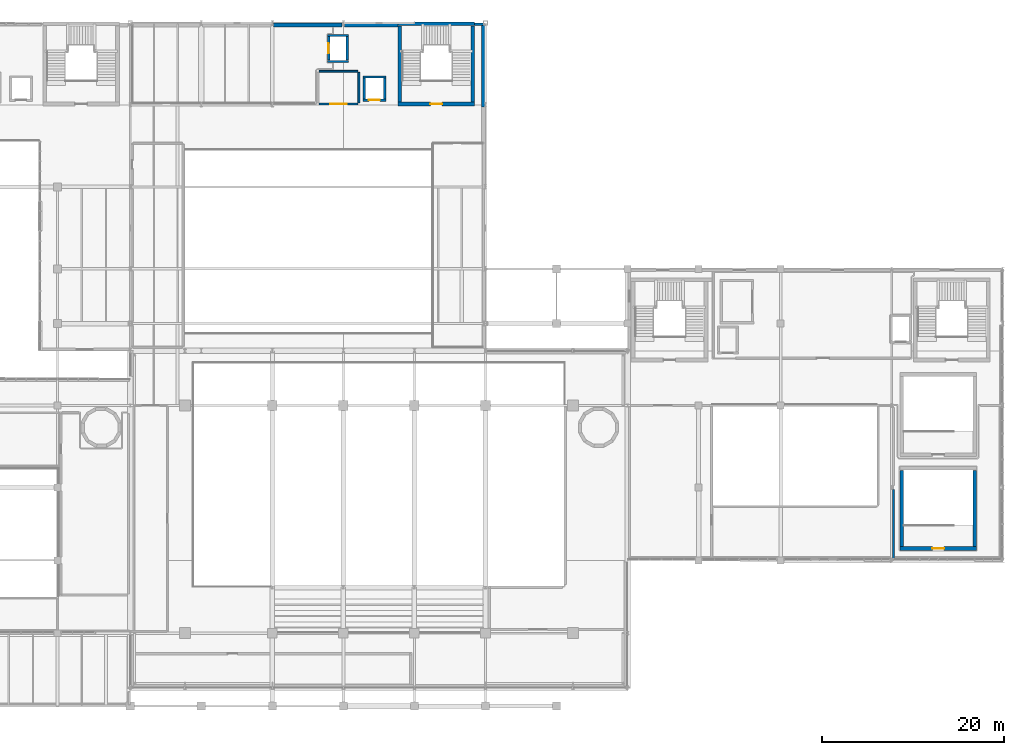
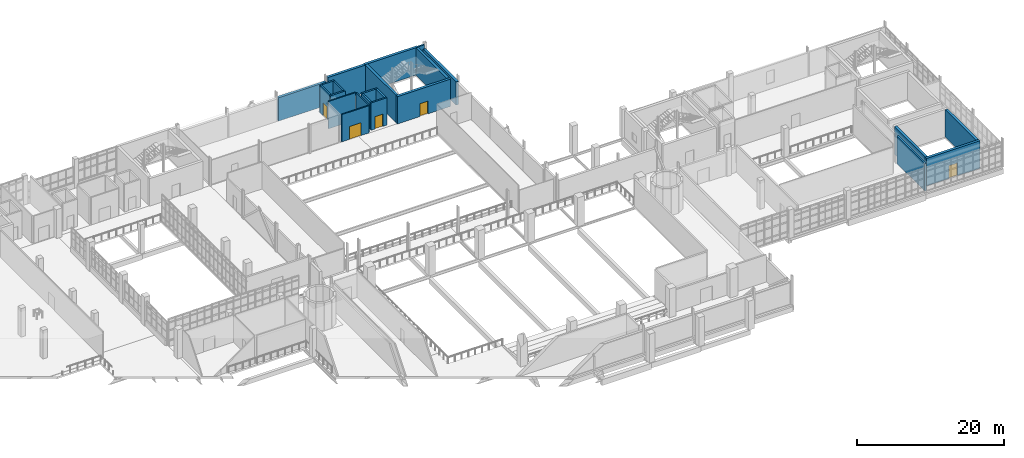
# One storey, part 95 of 102: 23 walls, 5 doors, 5 openings.
"""IFC4 building model written with IfcOpenShell, lengths in metres."""

from ifc_helpers import new_model, si_unit, derived_unit, direction, frame, frame_2d, origin, place, context, subcontext, project, spatial, rectangle, extrude, material, layer, layer_set, type_object, element, fill, save


model = new_model("IFC4")

# Units and contexts
model_context = context("Model", 3, precision=1e-05, world=origin(), true_north=direction((0.0, 1.0)))
body_context = subcontext(model_context, "Body", "Model", "MODEL_VIEW")
ifc_project = project(units=[si_unit("LENGTHUNIT", "METRE"), si_unit("AREAUNIT", "SQUARE_METRE"), si_unit("VOLUMEUNIT", "CUBIC_METRE"), si_unit("PLANEANGLEUNIT", "RADIAN"), si_unit("MASSUNIT", "GRAM", prefix="KILO"), derived_unit("THERMALTRANSMITTANCEUNIT", [(si_unit("POWERUNIT", "WATT"), 1), (si_unit("LENGTHUNIT", "METRE"), -2), (si_unit("THERMODYNAMICTEMPERATUREUNIT", "KELVIN"), -1)])], contexts=[model_context])

# Site, building, storey
site_placement = place(None, origin())
site = spatial("IfcSite", under=ifc_project, at=site_placement, CompositionType="ELEMENT")
building_placement = place(site_placement, origin())
building = spatial("IfcBuilding", under=site, at=building_placement, Name="Nallur Shell Playhouse", CompositionType="ELEMENT")
storey_placement = place(building_placement, frame((0.0, 0.0, 15.0)))
storey = spatial("IfcBuildingStorey", under=building, at=storey_placement, Name="L04", CompositionType="ELEMENT", Elevation=15.0)

# Wall, opening, door
ifc_material_1 = material(Name="Concrete M45", Category="concrete")
ifc_layer_1 = layer(ifc_material_1, 0.39990234375)
ifc_layer_set_1 = layer_set([ifc_layer_1], Name="Concrete M45")
wall_type_1 = type_object("IfcWallType", Name="WL-CORE-400", PredefinedType="SHEAR", material=ifc_layer_set_1)
wall_1_placement = place(storey_placement, frame((93.39990234375, 74.10009765625, 0.0), z_axis=(0.0, 0.0, 1.0), x_axis=(1.0, 0.0, 0.0)))
wall_1 = element("IfcWall", 1, at=wall_1_placement, inside=storey, type_object=wall_type_1, Name="Joint Core JC-4 shear wall S (L04)", PredefinedType="SHEAR", context=body_context, shape_type="SweptSolid", body=[
    extrude(rectangle(XDim=8.400146484375, YDim=0.39990234375, at=frame_2d((4.2001953125, 0.0))), origin(), (0.0, 0.0, 1.0), 4.550048828125),
])
opening_1_placement = place(wall_1_placement, frame((3.550048828125, 0.0, 0.0)))
opening_1 = element("IfcOpeningElement", 2, at=opening_1_placement, cuts=wall_1, Name="Opening FD-ST1", PredefinedType="OPENING", context=body_context, shape_type="SweptSolid", body=[
    extrude(rectangle(XDim=1.300048828125, YDim=2.14990234375, at=frame_2d((0.64990234375, 1.074951171875))), frame((0.0, 0.2099609375, 0.0), z_axis=(0.0, -1.0, 0.0), x_axis=(1.0, 0.0, 0.0)), (0.0, 0.0, 1.0), 0.419921875),
])
ifc_material_2 = material(Name="Galvanised Steel Fire-Rated Stair Door", Category="steel")
door_type_1 = type_object("IfcDoorType", Name="DR-INT-STAIR-L", OperationType="SINGLE_SWING_LEFT", PredefinedType="DOOR", material=ifc_material_2)
door_1_placement = place(opening_1_placement, origin())
door_1 = element("IfcDoor", 3, at=door_1_placement, inside=storey, type_object=door_type_1, Name="Exit stair ST-04 fire door (L04)", OperationType="SINGLE_SWING_LEFT", OverallHeight=2.14990234375, OverallWidth=1.300048828125, PredefinedType="DOOR", context=body_context, shape_type="SweptSolid", body=[
    extrude(rectangle(XDim=1.300048828125, YDim=2.14990234375, at=frame_2d((0.64990234375, 1.074951171875))), frame((0.0, 0.02490234375, 0.0), z_axis=(0.0, -1.0, 0.0), x_axis=(1.0, 0.0, 0.0)), (0.0, 0.0, 1.0), 0.050048828125),
])
fill(opening_1, door_1)

# Walls
wall_2_placement = place(storey_placement, frame((101.800048828125, 82.89990234375, 0.0), z_axis=(0.0, 0.0, 1.0), x_axis=(-1.0, 0.0, 0.0)))
element("IfcWall", 4, at=wall_2_placement, inside=storey, type_object=wall_type_1, Name="Joint Core JC-4 shear wall N (L04)", PredefinedType="SHEAR", context=body_context, shape_type="SweptSolid", body=[
    extrude(rectangle(XDim=8.400146484375, YDim=0.39990234375, at=frame_2d((4.2001953125, 0.0))), origin(), (0.0, 0.0, 1.0), 4.550048828125),
])
for number, where, z_axis, x_axis, name in (
    (5, (101.60009765625, 74.31005859375, 0.0), (0.0, 0.0, 1.0), (0.0, 1.0, 0.0), "Joint Core JC-4 shear wall E (L04)"),
    (6, (93.60009765625, 82.68994140625, 0.0), (0.0, 0.0, 1.0), (0.0, -1.0, 0.0), "Joint Core JC-4 shear wall W (L04)"),
):
    element("IfcWall", number, at=place(storey_placement, frame(where, z_axis=z_axis, x_axis=x_axis)), inside=storey, type_object=wall_type_1, Name=name, PredefinedType="SHEAR", context=body_context, shape_type="SweptSolid", body=[
        extrude(rectangle(XDim=8.3798828125, YDim=0.39990234375, at=frame_2d((4.18994140625, 0.0))), origin(), (0.0, 0.0, 1.0), 4.550048828125),
    ])

# Wall, opening, door
wall_3_placement = place(storey_placement, frame((148.5, 25.300048828125, 0.0), z_axis=(0.0, 0.0, 1.0), x_axis=(1.0, 0.0, 0.0)))
wall_3 = element("IfcWall", 7, at=wall_3_placement, inside=storey, type_object=wall_type_1, Name="Joint Core JC-8 shear wall S (L04)", PredefinedType="SHEAR", context=body_context, shape_type="SweptSolid", body=[
    extrude(rectangle(XDim=8.39990234375, YDim=0.39990234375, at=frame_2d((4.199951171875, 0.0))), origin(), (0.0, 0.0, 1.0), 4.580078125),
])
opening_2_placement = place(wall_3_placement, frame((3.550048828125, 0.0, 0.0)))
opening_2 = element("IfcOpeningElement", 8, at=opening_2_placement, cuts=wall_3, Name="Opening FD-ST2", PredefinedType="OPENING", context=body_context, shape_type="SweptSolid", body=[
    extrude(rectangle(XDim=1.300048828125, YDim=2.14990234375, at=frame_2d((0.64990234375, 1.074951171875))), frame((0.0, 0.2099609375, 0.0), z_axis=(0.0, -1.0, 0.0), x_axis=(1.0, 0.0, 0.0)), (0.0, 0.0, 1.0), 0.419921875),
])
door_type_2 = type_object("IfcDoorType", Name="DR-INT-STAIR-R", OperationType="SINGLE_SWING_RIGHT", PredefinedType="DOOR", material=ifc_material_2)
door_2_placement = place(opening_2_placement, origin())
door_2 = element("IfcDoor", 9, at=door_2_placement, inside=storey, type_object=door_type_2, Name="Exit stair ST-08 fire door (L04)", OperationType="SINGLE_SWING_RIGHT", OverallHeight=2.14990234375, OverallWidth=1.300048828125, PredefinedType="DOOR", context=body_context, shape_type="SweptSolid", body=[
    extrude(rectangle(XDim=1.300048828125, YDim=2.14990234375, at=frame_2d((0.64990234375, 1.074951171875))), frame((0.0, 0.02490234375, 0.0), z_axis=(0.0, -1.0, 0.0), x_axis=(1.0, 0.0, 0.0)), (0.0, 0.0, 1.0), 0.050048828125),
])
fill(opening_2, door_2)

# Walls
for number, where, z_axis, x_axis, name in (
    (10, (156.699951171875, 25.510009765625, 0.0), (0.0, 0.0, 1.0), (0.0, 1.0, 0.0), "Joint Core JC-8 shear wall E (L04)"),
    (11, (148.699951171875, 33.889892578125, 0.0), (0.0, 0.0, 1.0), (0.0, -1.0, 0.0), "Joint Core JC-8 shear wall W (L04)"),
):
    element("IfcWall", number, at=place(storey_placement, frame(where, z_axis=z_axis, x_axis=x_axis)), inside=storey, type_object=wall_type_1, Name=name, PredefinedType="SHEAR", context=body_context, shape_type="SweptSolid", body=[
        extrude(rectangle(XDim=8.3798828125, YDim=0.39990234375, at=frame_2d((4.18994140625, 0.0))), origin(), (0.0, 0.0, 1.0), 4.580078125),
    ])
ifc_material_3 = material(Name="Precast concrete M40", Category="concrete")
ifc_layer_2 = layer(ifc_material_3, 0.239990234375)
ifc_layer_set_2 = layer_set([ifc_layer_2], Name="Precast concrete M40")
wall_type_2 = type_object("IfcWallType", Name="WL-EXT-CLAD240", PredefinedType="ELEMENTEDWALL", material=ifc_layer_set_2)
wall_4_placement = place(storey_placement, frame((101.803955078125, 82.860107421875, 0.0), z_axis=(0.0, 0.0, 1.0), x_axis=(1.0, 0.0, 0.0)))
element("IfcWall", 12, at=wall_4_placement, inside=storey, type_object=wall_type_2, Name="L04 exterior wall EW-L04-176", PredefinedType="ELEMENTEDWALL", context=body_context, shape_type="SweptSolid", body=[
    extrude(rectangle(XDim=0.963134765625, YDim=0.239990234375, at=frame_2d((0.4814453125, 0.0))), origin(), (0.0, 0.0, 1.0), 4.550048828125),
])
ifc_material_4 = material(Name="Concrete M40", Category="concrete")
ifc_layer_3 = layer(ifc_material_4, 0.39990234375)
ifc_layer_set_3 = layer_set([ifc_layer_3], Name="Concrete M40")
wall_type_3 = type_object("IfcWallType", Name="WL-EXT-RC400", PredefinedType="STANDARD", material=ifc_layer_set_3)
wall_5_placement = place(storey_placement, frame((79.73291015625, 82.780029296875, 0.0), z_axis=(0.0, 0.0, 1.0), x_axis=(1.0, 0.0, 0.0)))
element("IfcWall", 13, at=wall_5_placement, inside=storey, type_object=wall_type_3, Name="L04 exterior wall EW-L04-174", PredefinedType="STANDARD", context=body_context, shape_type="SweptSolid", body=[
    extrude(rectangle(XDim=7.5341796875, YDim=0.39990234375, at=frame_2d((3.76708984375, 0.0))), origin(), (0.0, 0.0, 1.0), 3.885009765625),
])
wall_6_placement = place(storey_placement, frame((87.532958984375, 82.780029296875, 0.0), z_axis=(0.0, 0.0, 1.0), x_axis=(1.0, 0.0, 0.0)))
element("IfcWall", 14, at=wall_6_placement, inside=storey, type_object=wall_type_3, Name="L04 exterior wall EW-L04-175", PredefinedType="STANDARD", context=body_context, shape_type="SweptSolid", body=[
    extrude(rectangle(XDim=5.863037109375, YDim=0.39990234375, at=frame_2d((2.931640625, 0.0))), origin(), (0.0, 0.0, 1.0), 4.550048828125),
])
wall_7_placement = place(storey_placement, frame((102.780029296875, 82.76708984375, 0.0), z_axis=(0.0, 0.0, 1.0), x_axis=(0.0, -1.0, 0.0)))
element("IfcWall", 15, at=wall_7_placement, inside=storey, type_object=wall_type_3, Name="L04 exterior wall EW-L04-177", PredefinedType="STANDARD", context=body_context, shape_type="SweptSolid", body=[
    extrude(rectangle(XDim=9.0, YDim=0.39990234375, at=frame_2d((4.5, 0.0))), origin(), (0.0, 0.0, 1.0), 3.885009765625),
])
ifc_material_5 = material(Name="Concrete M30", Category="concrete")
ifc_layer_4 = layer(ifc_material_5, 0.199951171875)
ifc_layer_set_4 = layer_set([ifc_layer_4], Name="Concrete M30")
wall_type_4 = type_object("IfcWallType", Name="WL-PART-AC200", PredefinedType="PARTITIONING", material=ifc_layer_set_4)
wall_8_placement = place(storey_placement, frame((84.719970703125, 77.699951171875, 0.0), z_axis=(0.0, 0.0, 1.0), x_axis=(1.0, 0.0, 0.0)))
element("IfcWall", 16, at=wall_8_placement, inside=storey, type_object=wall_type_4, Name="Firefighting Lobby JC-4 partition IW-L04-0276", PredefinedType="PARTITIONING", context=body_context, shape_type="SweptSolid", body=[
    extrude(rectangle(XDim=4.260009765625, YDim=0.199951171875, at=frame_2d((2.1298828125, 0.0))), origin(), (0.0, 0.0, 1.0), 4.5400390625),
])
wall_9_placement = place(storey_placement, frame((89.10009765625, 77.580078125, 0.0), z_axis=(0.0, 0.0, 1.0), x_axis=(0.0, -1.0, 0.0)))
element("IfcWall", 17, at=wall_9_placement, inside=storey, type_object=wall_type_4, Name="Firefighting Lobby JC-4 partition IW-L04-0277", PredefinedType="PARTITIONING", context=body_context, shape_type="SweptSolid", body=[
    extrude(rectangle(XDim=3.360107421875, YDim=0.199951171875, at=frame_2d((1.68017578125, 0.0))), origin(), (0.0, 0.0, 1.0), 4.5400390625),
])

# Wall, opening, door
wall_10_placement = place(storey_placement, frame((88.97998046875, 74.10009765625, 0.0), z_axis=(0.0, 0.0, 1.0), x_axis=(-1.0, 0.0, 0.0)))
wall_10 = element("IfcWall", 18, at=wall_10_placement, inside=storey, type_object=wall_type_4, Name="Firefighting Lobby JC-4 partition IW-L04-0278", PredefinedType="PARTITIONING", context=body_context, shape_type="SweptSolid", body=[
    extrude(rectangle(XDim=4.260009765625, YDim=0.199951171875, at=frame_2d((2.1298828125, 0.0))), origin(), (0.0, 0.0, 1.0), 4.5400390625),
])
opening_3_placement = place(wall_10_placement, frame((1.22998046875, 0.0, 0.0)))
opening_3 = element("IfcOpeningElement", 19, at=opening_3_placement, cuts=wall_10, Name="Opening FD-FL1", PredefinedType="OPENING", context=body_context, shape_type="SweptSolid", body=[
    extrude(rectangle(XDim=1.800048828125, YDim=2.14990234375, at=frame_2d((0.89990234375, 1.074951171875))), frame((0.0, 0.10986328125, 0.0), z_axis=(0.0, -1.0, 0.0), x_axis=(1.0, 0.0, 0.0)), (0.0, 0.0, 1.0), 0.219970703125),
])
ifc_material_6 = material(Name="Firefighting Lobby Smoke-Seal Double Door")
door_type_3 = type_object("IfcDoorType", Name="DR-INT-FFL-DBL", OperationType="DOUBLE_DOOR_SINGLE_SWING", PredefinedType="DOOR", material=ifc_material_6)
door_3_placement = place(opening_3_placement, origin())
door_3 = element("IfcDoor", 20, at=door_3_placement, inside=storey, type_object=door_type_3, Name="Firefighting Lobby JC-4 smoke-seal door (L04)", OperationType="DOUBLE_DOOR_SINGLE_SWING", OverallHeight=2.14990234375, OverallWidth=1.800048828125, PredefinedType="DOOR", context=body_context, shape_type="SweptSolid", body=[
    extrude(rectangle(XDim=1.800048828125, YDim=2.14990234375, at=frame_2d((0.89990234375, 1.074951171875))), frame((0.0, 0.02490234375, 0.0), z_axis=(0.0, -1.0, 0.0), x_axis=(1.0, 0.0, 0.0)), (0.0, 0.0, 1.0), 0.050048828125),
])
fill(opening_3, door_3)

# Wall
ifc_layer_5 = layer(ifc_material_5, 0.25)
ifc_layer_set_5 = layer_set([ifc_layer_5], Name="Concrete M30")
wall_type_5 = type_object("IfcWallType", Name="WL-PART-AC250", PredefinedType="PARTITIONING", material=ifc_layer_set_5)
wall_11_placement = place(storey_placement, frame((147.800048828125, 24.179931640625, 0.0), z_axis=(0.0, 0.0, 1.0), x_axis=(0.0, 1.0, 0.0)))
element("IfcWall", 21, at=wall_11_placement, inside=storey, type_object=wall_type_5, Name="Studio Theatre Technical Control & Followspot Gallery partition IW-L04-0302", PredefinedType="PARTITIONING", context=body_context, shape_type="SweptSolid", body=[
    extrude(rectangle(XDim=7.60498046875, YDim=0.25, at=frame_2d((3.802490234375, 0.0))), origin(), (0.0, 0.0, 1.0), 4.570068359375),
])

# Wall, opening, door
ifc_layer_6 = layer(ifc_material_1, 0.25)
ifc_layer_set_6 = layer_set([ifc_layer_6], Name="Concrete M45")
wall_type_6 = type_object("IfcWallType", Name="WL-SHAFT-250", PredefinedType="STANDARD", material=ifc_layer_set_6)
wall_12_placement = place(storey_placement, frame((89.550048828125, 74.52490234375, 0.0), z_axis=(0.0, 0.0, 1.0), x_axis=(1.0, 0.0, 0.0)))
wall_12 = element("IfcWall", 22, at=wall_12_placement, inside=storey, type_object=wall_type_6, Name="Fireman's Lift FL-2 shaft wall south (L04)", PredefinedType="STANDARD", context=body_context, shape_type="SweptSolid", body=[
    extrude(rectangle(XDim=2.5, YDim=0.25, at=frame_2d((1.25, 0.0))), origin(), (0.0, 0.0, 1.0), 4.5400390625),
])
opening_4_placement = place(wall_12_placement, frame((0.64990234375, 0.0, 0.0)))
opening_4 = element("IfcOpeningElement", 23, at=opening_4_placement, cuts=wall_12, Name="Opening LD-F1", PredefinedType="OPENING", context=body_context, shape_type="SweptSolid", body=[
    extrude(rectangle(XDim=1.199951171875, YDim=2.050048828125, at=frame_2d((0.60009765625, 1.02490234375))), frame((0.0, 0.135009765625, 0.0), z_axis=(0.0, -1.0, 0.0), x_axis=(1.0, 0.0, 0.0)), (0.0, 0.0, 1.0), 0.27001953125),
])
ifc_material_7 = material(Name="Fireman Lift Fire-Rated Sliding Landing Door")
door_type_4 = type_object("IfcDoorType", Name="DR-LIFT-FIRE", OperationType="DOUBLE_DOOR_SLIDING", PredefinedType="DOOR", material=ifc_material_7)
door_4_placement = place(opening_4_placement, origin())
door_4 = element("IfcDoor", 24, at=door_4_placement, inside=storey, type_object=door_type_4, Name="Fireman's Lift FL-2 sliding landing door (L04)", OperationType="DOUBLE_DOOR_SLIDING", OverallHeight=2.050048828125, OverallWidth=1.199951171875, PredefinedType="DOOR", context=body_context, shape_type="SweptSolid", body=[
    extrude(rectangle(XDim=1.199951171875, YDim=2.050048828125, at=frame_2d((0.60009765625, 1.02490234375))), frame((0.0, 0.02490234375, 0.0), z_axis=(0.0, -1.0, 0.0), x_axis=(1.0, 0.0, 0.0)), (0.0, 0.0, 1.0), 0.050048828125),
])
fill(opening_4, door_4)

# Walls
wall_13_placement = place(storey_placement, frame((92.050048828125, 77.074951171875, 0.0), z_axis=(0.0, 0.0, 1.0), x_axis=(-1.0, 0.0, 0.0)))
element("IfcWall", 25, at=wall_13_placement, inside=storey, type_object=wall_type_6, Name="Fireman's Lift FL-2 shaft wall north (L04)", PredefinedType="STANDARD", context=body_context, shape_type="SweptSolid", body=[
    extrude(rectangle(XDim=2.5, YDim=0.25, at=frame_2d((1.25, 0.0))), origin(), (0.0, 0.0, 1.0), 4.5400390625),
])
for number, where, z_axis, x_axis, name in (
    (26, (91.925048828125, 74.659912109375, 0.0), (0.0, 0.0, 1.0), (0.0, 1.0, 0.0), "Fireman's Lift FL-2 shaft wall east (L04)"),
    (27, (89.675048828125, 76.93994140625, 0.0), (0.0, 0.0, 1.0), (0.0, -1.0, 0.0), "Fireman's Lift FL-2 shaft wall west (L04)"),
):
    element("IfcWall", number, at=place(storey_placement, frame(where, z_axis=z_axis, x_axis=x_axis)), inside=storey, type_object=wall_type_6, Name=name, PredefinedType="STANDARD", context=body_context, shape_type="SweptSolid", body=[
        extrude(rectangle(XDim=2.280029296875, YDim=0.25, at=frame_2d((1.14013671875, 0.0))), origin(), (0.0, 0.0, 1.0), 4.5400390625),
    ])
for number, where, z_axis, x_axis, name in (
    (28, (85.64990234375, 78.77490234375, 0.0), (0.0, 0.0, 1.0), (1.0, 0.0, 0.0), "Passenger Lift PL-4 shaft wall south (L04)"),
    (29, (87.949951171875, 81.625, 0.0), (0.0, 0.0, 1.0), (-1.0, 0.0, 0.0), "Passenger Lift PL-4 shaft wall north (L04)"),
):
    element("IfcWall", number, at=place(storey_placement, frame(where, z_axis=z_axis, x_axis=x_axis)), inside=storey, type_object=wall_type_6, Name=name, PredefinedType="STANDARD", context=body_context, shape_type="SweptSolid", body=[
        extrude(rectangle(XDim=2.300048828125, YDim=0.25, at=frame_2d((1.14990234375, 0.0))), origin(), (0.0, 0.0, 1.0), 4.5400390625),
    ])
wall_14_placement = place(storey_placement, frame((87.824951171875, 78.909912109375, 0.0), z_axis=(0.0, 0.0, 1.0), x_axis=(0.0, 1.0, 0.0)))
element("IfcWall", 30, at=wall_14_placement, inside=storey, type_object=wall_type_6, Name="Passenger Lift PL-4 shaft wall east (L04)", PredefinedType="STANDARD", context=body_context, shape_type="SweptSolid", body=[
    extrude(rectangle(XDim=2.580078125, YDim=0.25, at=frame_2d((1.2900390625, 0.0))), origin(), (0.0, 0.0, 1.0), 4.5400390625),
])

# Wall, opening, door
wall_15_placement = place(storey_placement, frame((85.77490234375, 81.489990234375, 0.0), z_axis=(0.0, 0.0, 1.0), x_axis=(0.0, -1.0, 0.0)))
wall_15 = element("IfcWall", 31, at=wall_15_placement, inside=storey, type_object=wall_type_6, Name="Passenger Lift PL-4 shaft wall west (L04)", PredefinedType="STANDARD", context=body_context, shape_type="SweptSolid", body=[
    extrude(rectangle(XDim=2.580078125, YDim=0.25, at=frame_2d((1.2900390625, 0.0))), origin(), (0.0, 0.0, 1.0), 4.5400390625),
])
opening_5_placement = place(wall_15_placement, frame((0.739990234375, 0.0, 0.0)))
opening_5 = element("IfcOpeningElement", 32, at=opening_5_placement, cuts=wall_15, Name="Opening LD-P1", PredefinedType="OPENING", context=body_context, shape_type="SweptSolid", body=[
    extrude(rectangle(XDim=1.10009765625, YDim=2.14990234375, at=frame_2d((0.550048828125, 1.074951171875))), frame((0.0, 0.135009765625, 0.0), z_axis=(0.0, -1.0, 0.0), x_axis=(1.0, 0.0, 0.0)), (0.0, 0.0, 1.0), 0.27001953125),
])
ifc_material_8 = material(Name="Brushed Stainless Steel Lift Landing Door", Category="steel")
door_type_5 = type_object("IfcDoorType", Name="DR-LIFT-PASS", OperationType="DOUBLE_DOOR_SLIDING", PredefinedType="DOOR", material=ifc_material_8)
door_5_placement = place(opening_5_placement, origin())
door_5 = element("IfcDoor", 33, at=door_5_placement, inside=storey, type_object=door_type_5, Name="Passenger Lift PL-4 sliding landing door (L04)", OperationType="DOUBLE_DOOR_SLIDING", OverallHeight=2.14990234375, OverallWidth=1.10009765625, PredefinedType="DOOR", context=body_context, shape_type="SweptSolid", body=[
    extrude(rectangle(XDim=1.10009765625, YDim=2.14990234375, at=frame_2d((0.550048828125, 1.074951171875))), frame((0.0, 0.02490234375, 0.0), z_axis=(0.0, -1.0, 0.0), x_axis=(1.0, 0.0, 0.0)), (0.0, 0.0, 1.0), 0.050048828125),
])
fill(opening_5, door_5)

save(model, "model.ifc")
